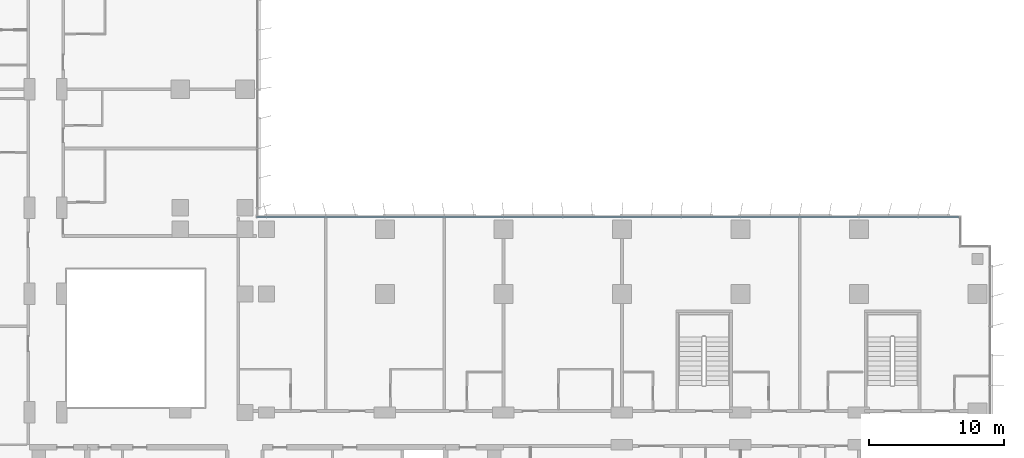
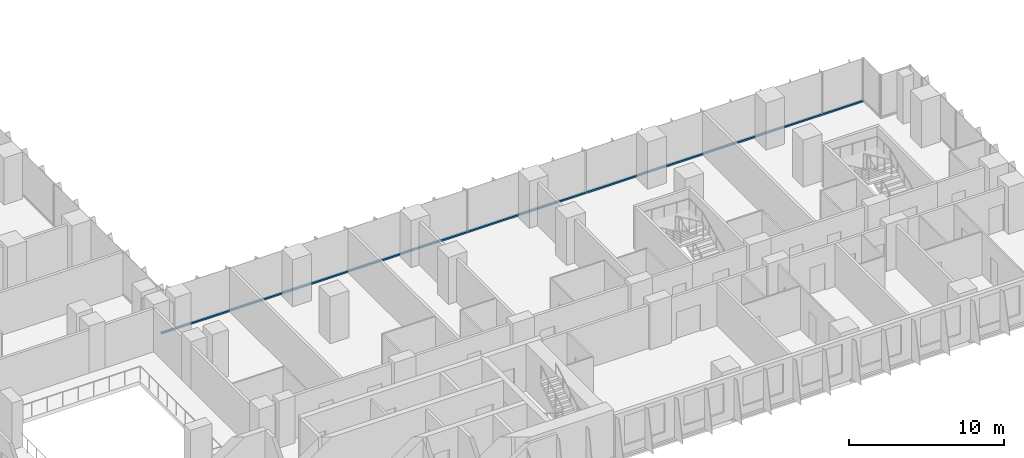
# One storey, part 3 of 24: 1 member, 1 element without a shape of its own.
"""IFC4 building model written with IfcOpenShell, lengths in metres."""

from ifc_helpers import new_model, si_unit, direction, frame, origin, origin_2d, place, context, subcontext, project, spatial, rectangle, extrude, material, material_profile, profile_set, type_object, element, aggregate, save


model = new_model("IFC4")

# Units and contexts
model_context = context("Model", 3, precision=1e-05, world=origin(), true_north=direction((0.0, 1.0)))
body_context = subcontext(model_context, "Body", "Model", "MODEL_VIEW")
ifc_project = project(units=[si_unit("LENGTHUNIT", "METRE"), si_unit("AREAUNIT", "SQUARE_METRE"), si_unit("VOLUMEUNIT", "CUBIC_METRE"), si_unit("PLANEANGLEUNIT", "RADIAN"), si_unit("MASSUNIT", "GRAM", prefix="KILO")], contexts=[model_context])

# Site, building, storey
site_placement = place(None, origin())
site = spatial("IfcSite", under=ifc_project, at=site_placement, CompositionType="ELEMENT")
building_placement = place(site_placement, origin())
building = spatial("IfcBuilding", under=site, at=building_placement, Name="Kemantara Hotel Tower", CompositionType="ELEMENT")
storey_placement = place(building_placement, frame((0.0, 0.0, 76.0)))
storey = spatial("IfcBuildingStorey", under=building, at=storey_placement, Name="L17", CompositionType="ELEMENT", Elevation=76.0)

# Curtain wall, member
ifc_material_1 = material(Name="Low-E tinted double insulated glass 36 mm", Category="glass")
curtain_wall_type = type_object("IfcCurtainWallType", Name="TOWER CURTAIN WALL, FRONT FACES", PredefinedType="USERDEFINED", material=ifc_material_1)
curtain_wall_placement = place(storey_placement, origin())
curtain_wall = element("IfcCurtainWall", 1, at=curtain_wall_placement, inside=storey, type_object=curtain_wall_type, Name="CW4 L17 T1-R07-1", ObjectType="TOWER CURTAIN WALL, FRONT FACES", PredefinedType="USERDEFINED")
ifc_material_2 = material(Name="Aluminium 6063-T6 bronze anodised", Category="aluminium")
ifc_material_profile = material_profile(ifc_material_2, rectangle(XDim=0.14990234375, YDim=0.1201171875, at=origin_2d()), Name="TOWER CURTAIN WALL, FRONT FACES TRANSOM")
ifc_profile_set = profile_set([ifc_material_profile], Name="Aluminium 6063-T6 bronze anodised")
member_type = type_object("IfcMemberType", Name="TOWER CURTAIN WALL, FRONT FACES TRANSOM", PredefinedType="USERDEFINED", material=ifc_profile_set)
member_placement = place(storey_placement, frame((78.85009765625, 26.72509765625, 0.06005859375), z_axis=(-1.0, 0.0, 0.0), x_axis=(0.0, -1.0, 0.0)))
member = element("IfcMember", 2, at=member_placement, type_object=member_type, Name="CW4 sill transom T1-R07-1", ObjectType="TRANSOM", PredefinedType="USERDEFINED", context=body_context, shape_type="SweptSolid", body=[
    extrude(rectangle(XDim=0.14990234375, YDim=0.1201171875, at=origin_2d()), origin(), (0.0, 0.0, 1.0), 52.2001953125),
])
aggregate(curtain_wall, [member])

save(model, "model.ifc")
